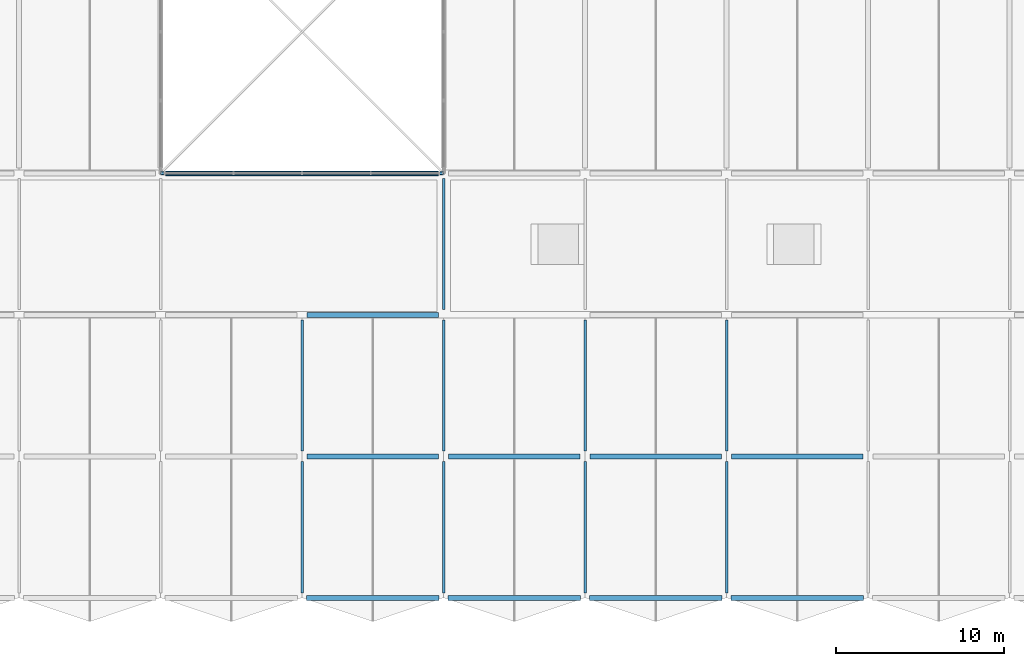
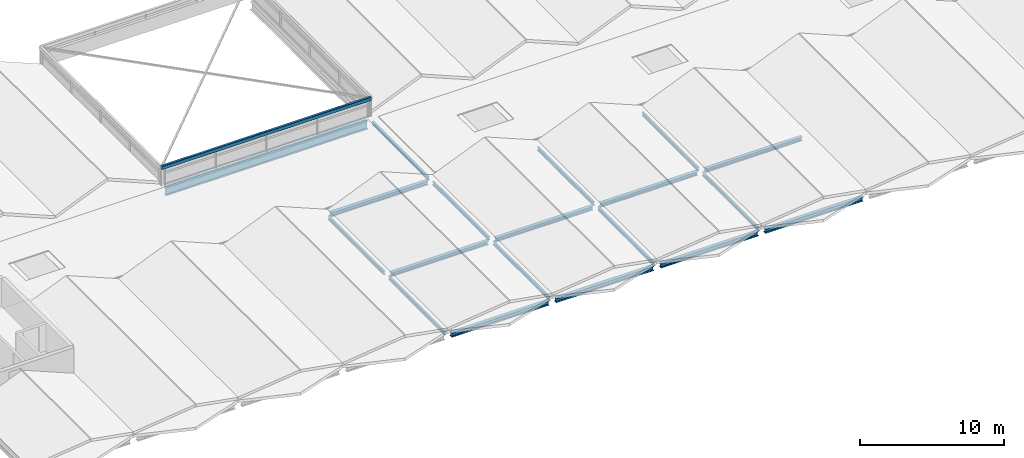
# One storey, part 3 of 14: 20 beams.
"""IFC4 building model written with IfcOpenShell, lengths in metres."""

from ifc_helpers import new_model, si_unit, direction, frame, origin, origin_2d, place, context, subcontext, project, spatial, hollow_rectangle, i_section, extrude, material, material_profile, profile_set, type_object, element, save


model = new_model("IFC4")

# Units and contexts
model_context = context("Model", 3, precision=1e-05, world=origin(), true_north=direction((0.0, 1.0)))
body_context = subcontext(model_context, "Body", "Model", "MODEL_VIEW")
ifc_project = project(units=[si_unit("LENGTHUNIT", "METRE"), si_unit("AREAUNIT", "SQUARE_METRE"), si_unit("VOLUMEUNIT", "CUBIC_METRE"), si_unit("PLANEANGLEUNIT", "RADIAN"), si_unit("MASSUNIT", "GRAM", prefix="KILO")], contexts=[model_context])

# Site, building, storey
site_placement = place(None, origin())
site = spatial("IfcSite", under=ifc_project, at=site_placement, CompositionType="ELEMENT")
building_placement = place(site_placement, origin())
building = spatial("IfcBuilding", under=site, at=building_placement, Name="Qawsi Khor Wholesale Market", CompositionType="ELEMENT")
storey_placement = place(building_placement, frame((0.0, 0.0, 20.699951171875)))
storey = spatial("IfcBuildingStorey", under=building, at=storey_placement, Name="RF", CompositionType="ELEMENT", Elevation=20.699951171875)

# Beams
ifc_material = material(Name="Steel S355", Category="steel")
ifc_material_profile_1 = material_profile(ifc_material, i_section(OverallWidth=0.300048828125, OverallDepth=0.360107421875, WebThickness=0.012451171875, FlangeThickness=0.0224609375, FilletRadius=0.027099609375, at=origin_2d()), Name="HEB 360")
ifc_profile_set_1 = profile_set([ifc_material_profile_1], Name="Steel S355")
beam_type_1 = type_object("IfcBeamType", Name="Heavy Edge Girder HEB 360", PredefinedType="BEAM", material=ifc_profile_set_1)
beam_1_placement = place(storey_placement, frame((59.074951171875, 0.0, -0.419921875), z_axis=(1.0, 0.0, 0.0), x_axis=(0.0, 1.0, 0.0)))
element("IfcBeam", 1, at=beam_1_placement, inside=storey, type_object=beam_type_1, Name="BM-X-RF-07_+00", PredefinedType="BEAM", context=body_context, shape_type="SweptSolid", body=[
    extrude(i_section(OverallWidth=0.300048828125, OverallDepth=0.360107421875, WebThickness=0.012451171875, FlangeThickness=0.0224609375, FilletRadius=0.027099609375, at=origin_2d()), origin(), (0.0, 0.0, 1.0), 7.85009765625),
])
beam_2_placement = place(storey_placement, frame((67.47509765625, 0.0, -0.419921875), z_axis=(1.0, 0.0, 0.0), x_axis=(0.0, 1.0, 0.0)))
element("IfcBeam", 2, at=beam_2_placement, inside=storey, type_object=beam_type_1, Name="BM-X-RF-08_+00", PredefinedType="BEAM", context=body_context, shape_type="SweptSolid", body=[
    extrude(i_section(OverallWidth=0.300048828125, OverallDepth=0.360107421875, WebThickness=0.012451171875, FlangeThickness=0.0224609375, FilletRadius=0.027099609375, at=origin_2d()), origin(), (0.0, 0.0, 1.0), 7.849853515625),
])
for number, where, z_axis, x_axis, name in (
    (3, (75.875, 0.0, -0.419921875), (1.0, 0.0, 0.0), (0.0, 1.0, 0.0), "BM-X-RF-09_+00"),
    (4, (84.27490234375, 0.0, -0.419921875), (1.0, 0.0, 0.0), (0.0, 1.0, 0.0), "BM-X-RF-10_+00"),
):
    element("IfcBeam", number, at=place(storey_placement, frame(where, z_axis=z_axis, x_axis=x_axis)), inside=storey, type_object=beam_type_1, Name=name, PredefinedType="BEAM", context=body_context, shape_type="SweptSolid", body=[
        extrude(i_section(OverallWidth=0.300048828125, OverallDepth=0.360107421875, WebThickness=0.012451171875, FlangeThickness=0.0224609375, FilletRadius=0.027099609375, at=origin_2d()), origin(), (0.0, 0.0, 1.0), 7.85009765625),
    ])
ifc_material_profile_2 = material_profile(ifc_material, hollow_rectangle(XDim=0.199951171875, YDim=0.300048828125, WallThickness=0.012451171875, InnerFilletRadius=0.012451171875, OuterFilletRadius=0.02490234375, at=origin_2d()), Name="RHS 300x200x12.5")
ifc_profile_set_2 = profile_set([ifc_material_profile_2], Name="Steel S355")
beam_type_2 = type_object("IfcBeamType", Name="Lantern Rim Beam RHS 300x200x12.5", PredefinedType="BEAM", material=ifc_profile_set_2)
beam_3_placement = place(storey_placement, frame((50.39990234375, 25.199951171875, 1.5), z_axis=(1.0, 0.0, 0.0), x_axis=(0.0, 1.0, 0.0)))
element("IfcBeam", 5, at=beam_3_placement, inside=storey, type_object=beam_type_2, Name="Atrium lantern rim beam WAT-1", PredefinedType="BEAM", context=body_context, shape_type="SweptSolid", body=[
    extrude(hollow_rectangle(XDim=0.199951171875, YDim=0.300048828125, WallThickness=0.012451171875, InnerFilletRadius=0.012451171875, OuterFilletRadius=0.02490234375, at=origin_2d()), origin(), (0.0, 0.0, 1.0), 16.800048828125),
])
ifc_material_profile_3 = material_profile(ifc_material, i_section(OverallWidth=0.300048828125, OverallDepth=0.31005859375, WebThickness=0.009033203125, FlangeThickness=0.015380859375, FilletRadius=0.027099609375, at=origin_2d()), Name="HEA 320")
ifc_profile_set_3 = profile_set([ifc_material_profile_3], Name="Steel S355")
beam_type_3 = type_object("IfcBeamType", Name="Primary Girder HEA 320", PredefinedType="BEAM", material=ifc_profile_set_3)
beam_4_placement = place(storey_placement, frame((59.10009765625, 8.39990234375, -0.39501953125), z_axis=(1.0, 0.0, 0.0), x_axis=(0.0, 1.0, 0.0)))
element("IfcBeam", 6, at=beam_4_placement, inside=storey, type_object=beam_type_3, Name="BM-X-RF-07_+01", PredefinedType="BEAM", context=body_context, shape_type="SweptSolid", body=[
    extrude(i_section(OverallWidth=0.300048828125, OverallDepth=0.31005859375, WebThickness=0.009033203125, FlangeThickness=0.015380859375, FilletRadius=0.027099609375, at=origin_2d()), origin(), (0.0, 0.0, 1.0), 7.7998046875),
])
for number, where, z_axis, x_axis, name in (
    (7, (67.5, 8.39990234375, -0.39501953125), (1.0, 0.0, 0.0), (0.0, 1.0, 0.0), "BM-X-RF-08_+01"),
    (8, (75.89990234375, 8.39990234375, -0.39501953125), (1.0, 0.0, 0.0), (0.0, 1.0, 0.0), "BM-X-RF-09_+01"),
    (9, (84.300048828125, 8.39990234375, -0.39501953125), (1.0, 0.0, 0.0), (0.0, 1.0, 0.0), "BM-X-RF-10_+01"),
):
    element("IfcBeam", number, at=place(storey_placement, frame(where, z_axis=z_axis, x_axis=x_axis)), inside=storey, type_object=beam_type_3, Name=name, PredefinedType="BEAM", context=body_context, shape_type="SweptSolid", body=[
        extrude(i_section(OverallWidth=0.300048828125, OverallDepth=0.31005859375, WebThickness=0.009033203125, FlangeThickness=0.015380859375, FilletRadius=0.027099609375, at=origin_2d()), origin(), (0.0, 0.0, 1.0), 7.800048828125),
    ])
ifc_material_profile_4 = material_profile(ifc_material, i_section(OverallWidth=0.300048828125, OverallDepth=0.330078125, WebThickness=0.009521484375, FlangeThickness=0.0166015625, FilletRadius=0.027099609375, at=origin_2d()), Name="HEA 340")
ifc_profile_set_4 = profile_set([ifc_material_profile_4], Name="Steel S355")
beam_type_4 = type_object("IfcBeamType", Name="Primary Girder HEA 340", PredefinedType="BEAM", material=ifc_profile_set_4)
beam_5_placement = place(storey_placement, frame((59.10009765625, 16.800048828125, -0.405029296875), z_axis=(1.0, 0.0, 0.0), x_axis=(0.0, 1.0, 0.0)))
element("IfcBeam", 10, at=beam_5_placement, inside=storey, type_object=beam_type_4, Name="BM-X-RF-07_+02", PredefinedType="BEAM", context=body_context, shape_type="SweptSolid", body=[
    extrude(i_section(OverallWidth=0.300048828125, OverallDepth=0.330078125, WebThickness=0.009521484375, FlangeThickness=0.0166015625, FilletRadius=0.027099609375, at=origin_2d()), origin(), (0.0, 0.0, 1.0), 7.7998046875),
])
ifc_material_profile_5 = material_profile(ifc_material, i_section(OverallWidth=0.300048828125, OverallDepth=0.68994140625, WebThickness=0.014404296875, FlangeThickness=0.027099609375, FilletRadius=0.027099609375, at=origin_2d()), Name="HEA 700")
ifc_profile_set_5 = profile_set([ifc_material_profile_5], Name="Steel S355")
beam_type_5 = type_object("IfcBeamType", Name="Primary Girder HEA 700", PredefinedType="BEAM", material=ifc_profile_set_5)
beam_6_placement = place(storey_placement, frame((50.699951171875, 25.199951171875, -0.5849609375), z_axis=(1.0, 0.0, 0.0), x_axis=(0.0, 1.0, 0.0)))
element("IfcBeam", 11, at=beam_6_placement, inside=storey, type_object=beam_type_5, Name="BM-XL-RF-06_+03", PredefinedType="BEAM", context=body_context, shape_type="SweptSolid", body=[
    extrude(i_section(OverallWidth=0.300048828125, OverallDepth=0.68994140625, WebThickness=0.014404296875, FlangeThickness=0.027099609375, FilletRadius=0.027099609375, at=origin_2d()), origin(), (0.0, 0.0, 1.0), 16.199951171875),
])
ifc_material_profile_6 = material_profile(ifc_material, i_section(OverallWidth=0.14990234375, OverallDepth=0.300048828125, WebThickness=0.007080078125, FlangeThickness=0.0107421875, FilletRadius=0.014892578125, at=origin_2d()), Name="IPE 300")
ifc_profile_set_6 = profile_set([ifc_material_profile_6], Name="Steel S355")
beam_type_6 = type_object("IfcBeamType", Name="Roof Rafter IPE 300", PredefinedType="BEAM", material=ifc_profile_set_6)
beam_7_placement = place(storey_placement, frame((58.800048828125, 0.27490234375, -0.389892578125), z_axis=(0.0, 1.0, 0.0), x_axis=(-1.0, 0.0, 0.0)))
element("IfcBeam", 12, at=beam_7_placement, inside=storey, type_object=beam_type_6, Name="BM-Y-RF-07_+00", PredefinedType="BEAM", context=body_context, shape_type="SweptSolid", body=[
    extrude(i_section(OverallWidth=0.14990234375, OverallDepth=0.300048828125, WebThickness=0.007080078125, FlangeThickness=0.0107421875, FilletRadius=0.014892578125, at=origin_2d()), origin(), (0.0, 0.0, 1.0), 7.8251953125),
])
beam_8_placement = place(storey_placement, frame((58.800048828125, 8.699951171875, -0.389892578125), z_axis=(0.0, 1.0, 0.0), x_axis=(-1.0, 0.0, 0.0)))
element("IfcBeam", 13, at=beam_8_placement, inside=storey, type_object=beam_type_6, Name="BM-Y-RF-07_+01", PredefinedType="BEAM", context=body_context, shape_type="SweptSolid", body=[
    extrude(i_section(OverallWidth=0.14990234375, OverallDepth=0.300048828125, WebThickness=0.007080078125, FlangeThickness=0.0107421875, FilletRadius=0.014892578125, at=origin_2d()), origin(), (0.0, 0.0, 1.0), 7.800048828125),
])
beam_9_placement = place(storey_placement, frame((67.199951171875, 0.27490234375, -0.389892578125), z_axis=(0.0, 1.0, 0.0), x_axis=(-1.0, 0.0, 0.0)))
element("IfcBeam", 14, at=beam_9_placement, inside=storey, type_object=beam_type_6, Name="BM-Y-RF-08_+00", PredefinedType="BEAM", context=body_context, shape_type="SweptSolid", body=[
    extrude(i_section(OverallWidth=0.14990234375, OverallDepth=0.300048828125, WebThickness=0.007080078125, FlangeThickness=0.0107421875, FilletRadius=0.014892578125, at=origin_2d()), origin(), (0.0, 0.0, 1.0), 7.8251953125),
])
beam_10_placement = place(storey_placement, frame((67.199951171875, 8.699951171875, -0.389892578125), z_axis=(0.0, 1.0, 0.0), x_axis=(-1.0, 0.0, 0.0)))
element("IfcBeam", 15, at=beam_10_placement, inside=storey, type_object=beam_type_6, Name="BM-Y-RF-08_+01", PredefinedType="BEAM", context=body_context, shape_type="SweptSolid", body=[
    extrude(i_section(OverallWidth=0.14990234375, OverallDepth=0.300048828125, WebThickness=0.007080078125, FlangeThickness=0.0107421875, FilletRadius=0.014892578125, at=origin_2d()), origin(), (0.0, 0.0, 1.0), 7.800048828125),
])
beam_11_placement = place(storey_placement, frame((67.199951171875, 17.10009765625, -0.389892578125), z_axis=(0.0, 1.0, 0.0), x_axis=(-1.0, 0.0, 0.0)))
element("IfcBeam", 16, at=beam_11_placement, inside=storey, type_object=beam_type_6, Name="BM-Y-RF-08_+02", PredefinedType="BEAM", context=body_context, shape_type="SweptSolid", body=[
    extrude(i_section(OverallWidth=0.14990234375, OverallDepth=0.300048828125, WebThickness=0.007080078125, FlangeThickness=0.0107421875, FilletRadius=0.014892578125, at=origin_2d()), origin(), (0.0, 0.0, 1.0), 7.7998046875),
])
beam_12_placement = place(storey_placement, frame((75.60009765625, 0.27490234375, -0.389892578125), z_axis=(0.0, 1.0, 0.0), x_axis=(-1.0, 0.0, 0.0)))
element("IfcBeam", 17, at=beam_12_placement, inside=storey, type_object=beam_type_6, Name="BM-Y-RF-09_+00", PredefinedType="BEAM", context=body_context, shape_type="SweptSolid", body=[
    extrude(i_section(OverallWidth=0.14990234375, OverallDepth=0.300048828125, WebThickness=0.007080078125, FlangeThickness=0.0107421875, FilletRadius=0.014892578125, at=origin_2d()), origin(), (0.0, 0.0, 1.0), 7.8251953125),
])
beam_13_placement = place(storey_placement, frame((75.60009765625, 8.699951171875, -0.389892578125), z_axis=(0.0, 1.0, 0.0), x_axis=(-1.0, 0.0, 0.0)))
element("IfcBeam", 18, at=beam_13_placement, inside=storey, type_object=beam_type_6, Name="BM-Y-RF-09_+01", PredefinedType="BEAM", context=body_context, shape_type="SweptSolid", body=[
    extrude(i_section(OverallWidth=0.14990234375, OverallDepth=0.300048828125, WebThickness=0.007080078125, FlangeThickness=0.0107421875, FilletRadius=0.014892578125, at=origin_2d()), origin(), (0.0, 0.0, 1.0), 7.800048828125),
])
beam_14_placement = place(storey_placement, frame((84.0, 0.27490234375, -0.389892578125), z_axis=(0.0, 1.0, 0.0), x_axis=(-1.0, 0.0, 0.0)))
element("IfcBeam", 19, at=beam_14_placement, inside=storey, type_object=beam_type_6, Name="BM-Y-RF-10_+00", PredefinedType="BEAM", context=body_context, shape_type="SweptSolid", body=[
    extrude(i_section(OverallWidth=0.14990234375, OverallDepth=0.300048828125, WebThickness=0.007080078125, FlangeThickness=0.0107421875, FilletRadius=0.014892578125, at=origin_2d()), origin(), (0.0, 0.0, 1.0), 7.8251953125),
])
beam_15_placement = place(storey_placement, frame((84.0, 8.699951171875, -0.389892578125), z_axis=(0.0, 1.0, 0.0), x_axis=(-1.0, 0.0, 0.0)))
element("IfcBeam", 20, at=beam_15_placement, inside=storey, type_object=beam_type_6, Name="BM-Y-RF-10_+01", PredefinedType="BEAM", context=body_context, shape_type="SweptSolid", body=[
    extrude(i_section(OverallWidth=0.14990234375, OverallDepth=0.300048828125, WebThickness=0.007080078125, FlangeThickness=0.0107421875, FilletRadius=0.014892578125, at=origin_2d()), origin(), (0.0, 0.0, 1.0), 7.800048828125),
])

save(model, "model.ifc")
